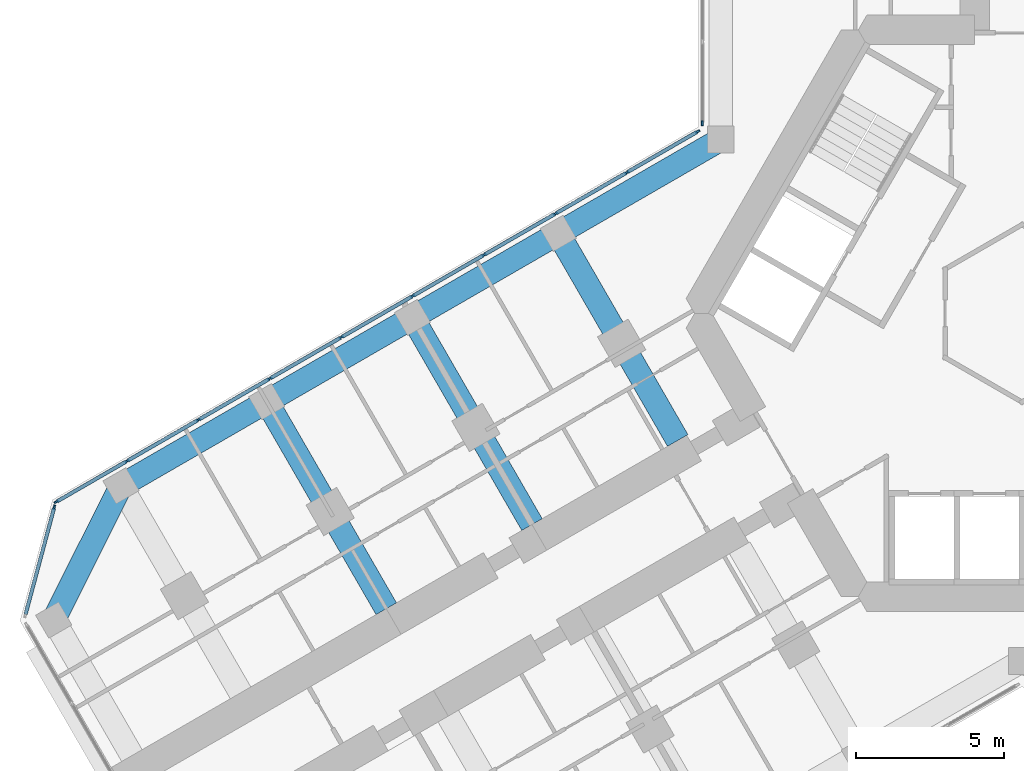
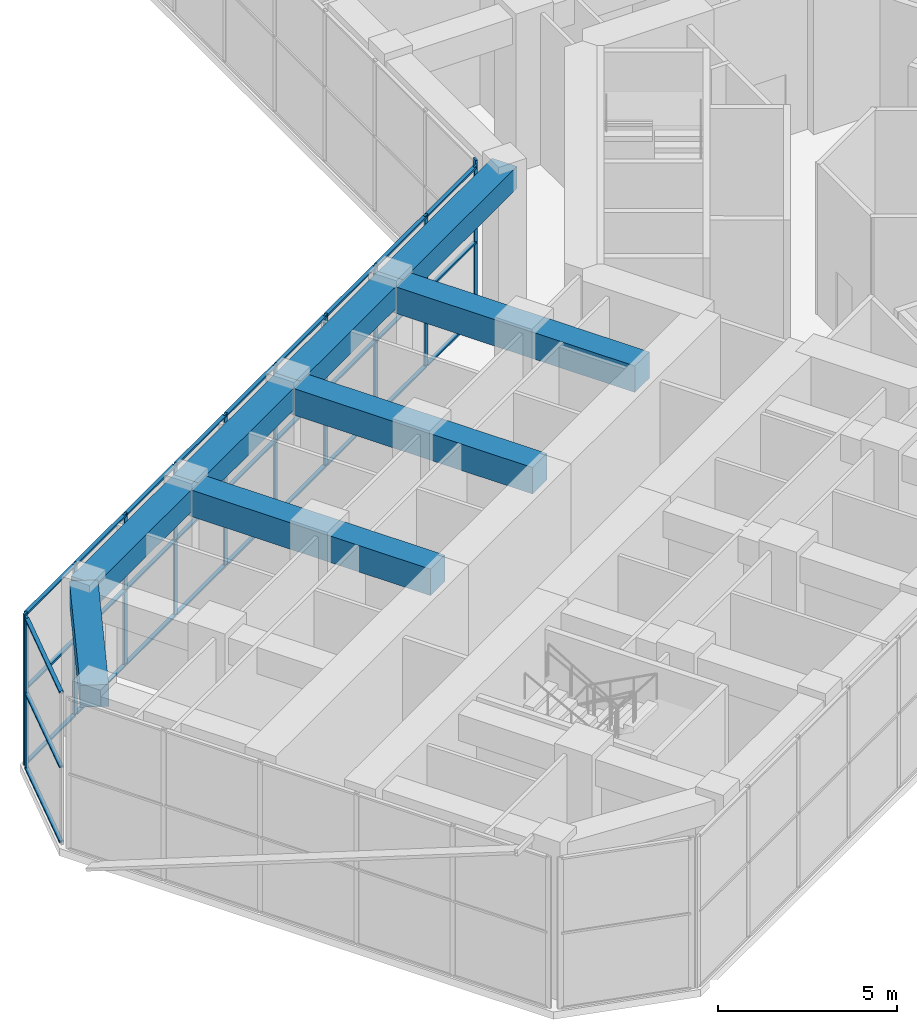
# One storey, part 4 of 23: 42 members, 8 beams, 3 elements without a shape of their own.
"""IFC4 building model written with IfcOpenShell, lengths in metres."""

from ifc_helpers import new_model, si_unit, direction, frame, origin, origin_2d, place, context, subcontext, project, spatial, rectangle, extrude, material, material_profile, profile_set, type_object, element, aggregate, save


model = new_model("IFC4")

# Units and contexts
model_context = context("Model", 3, precision=1e-05, world=origin(), true_north=direction((0.0, 1.0)))
body_context = subcontext(model_context, "Body", "Model", "MODEL_VIEW")
ifc_project = project(units=[si_unit("LENGTHUNIT", "METRE"), si_unit("AREAUNIT", "SQUARE_METRE"), si_unit("VOLUMEUNIT", "CUBIC_METRE"), si_unit("PLANEANGLEUNIT", "RADIAN"), si_unit("MASSUNIT", "GRAM", prefix="KILO")], contexts=[model_context])

# Site, building, storey
site_placement = place(None, origin())
site = spatial("IfcSite", under=ifc_project, at=site_placement, CompositionType="ELEMENT")
building_placement = place(site_placement, origin())
building = spatial("IfcBuilding", under=site, at=building_placement, Name="Kosmar Iwan School Tower", CompositionType="ELEMENT")
storey_placement = place(building_placement, frame((0.0, 0.0, 75.39990234375)))
storey = spatial("IfcBuildingStorey", under=building, at=storey_placement, Name="L18", CompositionType="ELEMENT", Elevation=75.39990234375)

# Curtain wall, member
ifc_material_1 = material(Name="Dark glass in black aluminium frame", Category="aluminium")
curtain_wall_type_1 = type_object("IfcCurtainWallType", Name="Winter garden curtain wall", PredefinedType="USERDEFINED", material=ifc_material_1)
curtain_wall_1_placement = place(storey_placement, origin())
curtain_wall_1 = element("IfcCurtainWall", 1, at=curtain_wall_1_placement, inside=storey, type_object=curtain_wall_type_1, Name="Curtain wall L18-F10", ObjectType="WINTER GARDEN CURTAIN WALL", PredefinedType="USERDEFINED")
ifc_material_2 = material(Name="Black anodised aluminium", Category="aluminium")
ifc_material_profile_1 = material_profile(ifc_material_2, rectangle(XDim=0.06005859375, YDim=0.159912109375, at=origin_2d()), Name="MULLION 60x160")
ifc_profile_set_1 = profile_set([ifc_material_profile_1], Name="Black anodised aluminium")
member_type_1 = type_object("IfcMemberType", Name="Mullion 60x160", PredefinedType="MULLION", material=ifc_profile_set_1)
member_1_placement = place(storey_placement, frame((-10.824951171875, 6.43896484375, 0.0), z_axis=(0.0, 0.0, 1.0), x_axis=(-1.0, 0.0, 0.0)))
member_1 = element("IfcMember", 2, at=member_1_placement, type_object=member_type_1, Name="CW7 mullion 1", PredefinedType="MULLION", context=body_context, shape_type="SweptSolid", body=[
    extrude(rectangle(XDim=0.06005859375, YDim=0.159912109375, at=origin_2d()), origin(), (0.0, 0.0, 1.0), 5.150146484375),
])
aggregate(curtain_wall_1, [member_1])

# Curtain wall, members
curtain_wall_2_placement = place(storey_placement, origin())
curtain_wall_2 = element("IfcCurtainWall", 3, at=curtain_wall_2_placement, inside=storey, type_object=curtain_wall_type_1, Name="Curtain wall L18-F11", ObjectType="WINTER GARDEN CURTAIN WALL", PredefinedType="USERDEFINED")
member_2_placement = place(storey_placement, frame((-10.98876953125, 6.1552734375, 0.0), z_axis=(0.0, 0.0, 1.0), x_axis=(0.500000014888, -0.866025395189, 0.0)))
member_2 = element("IfcMember", 4, at=member_2_placement, type_object=member_type_1, Name="CW7 mullion 1", PredefinedType="MULLION", context=body_context, shape_type="SweptSolid", body=[
    extrude(rectangle(XDim=0.06005859375, YDim=0.159912109375, at=origin_2d()), origin(), (0.0, 0.0, 1.0), 5.150146484375),
])
member_3_placement = place(storey_placement, frame((-13.3818359375, 4.773681640625, 0.0), z_axis=(0.0, 0.0, 1.0), x_axis=(0.500000014888, -0.866025395189, 0.0)))
member_3 = element("IfcMember", 5, at=member_3_placement, type_object=member_type_1, Name="CW7 mullion 2", PredefinedType="MULLION", context=body_context, shape_type="SweptSolid", body=[
    extrude(rectangle(XDim=0.06005859375, YDim=0.159912109375, at=origin_2d()), origin(), (0.0, 0.0, 1.0), 5.150146484375),
])
member_4_placement = place(storey_placement, frame((-15.80078125, 3.376953125, 0.0), z_axis=(0.0, 0.0, 1.0), x_axis=(0.500000014888, -0.866025395189, 0.0)))
member_4 = element("IfcMember", 6, at=member_4_placement, type_object=member_type_1, Name="CW7 mullion 3", PredefinedType="MULLION", context=body_context, shape_type="SweptSolid", body=[
    extrude(rectangle(XDim=0.06005859375, YDim=0.159912109375, at=origin_2d()), origin(), (0.0, 0.0, 1.0), 5.150146484375),
])
member_5_placement = place(storey_placement, frame((-18.219970703125, 1.98046875, 0.0), z_axis=(0.0, 0.0, 1.0), x_axis=(0.500000014888, -0.866025395189, 0.0)))
member_5 = element("IfcMember", 7, at=member_5_placement, type_object=member_type_1, Name="CW7 mullion 4", PredefinedType="MULLION", context=body_context, shape_type="SweptSolid", body=[
    extrude(rectangle(XDim=0.06005859375, YDim=0.159912109375, at=origin_2d()), origin(), (0.0, 0.0, 1.0), 5.150146484375),
])
member_6_placement = place(storey_placement, frame((-20.638916015625, 0.583740234375, 0.0), z_axis=(0.0, 0.0, 1.0), x_axis=(0.500000014888, -0.866025395189, 0.0)))
member_6 = element("IfcMember", 8, at=member_6_placement, type_object=member_type_1, Name="CW7 mullion 5", PredefinedType="MULLION", context=body_context, shape_type="SweptSolid", body=[
    extrude(rectangle(XDim=0.06005859375, YDim=0.159912109375, at=origin_2d()), origin(), (0.0, 0.0, 1.0), 5.150146484375),
])
member_7_placement = place(storey_placement, frame((-23.057861328125, -0.81298828125, 0.0), z_axis=(0.0, 0.0, 1.0), x_axis=(0.500000014888, -0.866025395189, 0.0)))
member_7 = element("IfcMember", 9, at=member_7_placement, type_object=member_type_1, Name="CW7 mullion 6", PredefinedType="MULLION", context=body_context, shape_type="SweptSolid", body=[
    extrude(rectangle(XDim=0.06005859375, YDim=0.159912109375, at=origin_2d()), origin(), (0.0, 0.0, 1.0), 5.150146484375),
])
member_8_placement = place(storey_placement, frame((-25.47705078125, -2.20947265625, 0.0), z_axis=(0.0, 0.0, 1.0), x_axis=(0.500000014888, -0.866025395189, 0.0)))
member_8 = element("IfcMember", 10, at=member_8_placement, type_object=member_type_1, Name="CW7 mullion 7", PredefinedType="MULLION", context=body_context, shape_type="SweptSolid", body=[
    extrude(rectangle(XDim=0.06005859375, YDim=0.159912109375, at=origin_2d()), origin(), (0.0, 0.0, 1.0), 5.150146484375),
])
member_9_placement = place(storey_placement, frame((-27.89599609375, -3.606201171875, 0.0), z_axis=(0.0, 0.0, 1.0), x_axis=(0.500000014888, -0.866025395189, 0.0)))
member_9 = element("IfcMember", 11, at=member_9_placement, type_object=member_type_1, Name="CW7 mullion 8", PredefinedType="MULLION", context=body_context, shape_type="SweptSolid", body=[
    extrude(rectangle(XDim=0.06005859375, YDim=0.159912109375, at=origin_2d()), origin(), (0.0, 0.0, 1.0), 5.150146484375),
])
member_10_placement = place(storey_placement, frame((-30.31494140625, -5.002685546875, 0.0), z_axis=(0.0, 0.0, 1.0), x_axis=(0.500000014888, -0.866025395189, 0.0)))
member_10 = element("IfcMember", 12, at=member_10_placement, type_object=member_type_1, Name="CW7 mullion 9", PredefinedType="MULLION", context=body_context, shape_type="SweptSolid", body=[
    extrude(rectangle(XDim=0.06005859375, YDim=0.159912109375, at=origin_2d()), origin(), (0.0, 0.0, 1.0), 5.150146484375),
])
member_11_placement = place(storey_placement, frame((-32.7080078125, -6.38427734375, 0.0), z_axis=(0.0, 0.0, 1.0), x_axis=(0.500000014888, -0.866025395189, 0.0)))
member_11 = element("IfcMember", 13, at=member_11_placement, type_object=member_type_1, Name="CW7 mullion 10", PredefinedType="MULLION", context=body_context, shape_type="SweptSolid", body=[
    extrude(rectangle(XDim=0.06005859375, YDim=0.159912109375, at=origin_2d()), origin(), (0.0, 0.0, 1.0), 5.150146484375),
])

# Curtain wall, member
ifc_material_3 = material(Name="Dark glass in black aluminium frame", Category="aluminium")
curtain_wall_type_2 = type_object("IfcCurtainWallType", Name="Chamfer curtain wall dark glass", PredefinedType="USERDEFINED", material=ifc_material_3)
curtain_wall_3_placement = place(storey_placement, origin())
curtain_wall_3 = element("IfcCurtainWall", 14, at=curtain_wall_3_placement, inside=storey, type_object=curtain_wall_type_2, Name="Curtain wall L18-F12", ObjectType="FACETED CURTAIN WALL", PredefinedType="USERDEFINED")
member_12_placement = place(storey_placement, frame((-32.78076171875, -6.5732421875, 0.0), z_axis=(0.0, 0.0, 1.0), x_axis=(0.965925875495, -0.258818861462, 0.0)))
member_12 = element("IfcMember", 15, at=member_12_placement, type_object=member_type_1, Name="CW2 mullion 1", PredefinedType="MULLION", context=body_context, shape_type="SweptSolid", body=[
    extrude(rectangle(XDim=0.06005859375, YDim=0.159912109375, at=origin_2d()), origin(), (0.0, 0.0, 1.0), 5.150146484375),
])

# Beams
ifc_material_4 = material(Name="Concrete C50/60", Category="concrete")
ifc_material_profile_2 = material_profile(ifc_material_4, rectangle(XDim=0.800048828125, YDim=0.75, at=origin_2d()), Name="RC 800x750")
ifc_profile_set_2 = profile_set([ifc_material_profile_2], Name="Concrete C50/60")
beam_type_1 = type_object("IfcBeamType", Name="RC edge beam 800x750", PredefinedType="BEAM", material=ifc_profile_set_2)
beam_1_placement = place(storey_placement, frame((-10.199951171875, 5.888916015625, 4.775146484375), z_axis=(-0.866030912664, -0.49999045822, 0.0), x_axis=(0.49999045822, -0.866030912664, 0.0)))
element("IfcBeam", 16, at=beam_1_placement, inside=storey, type_object=beam_type_1, Name="Edge beam BR1", PredefinedType="BEAM", context=body_context, shape_type="SweptSolid", body=[
    extrude(rectangle(XDim=0.800048828125, YDim=0.75, at=origin_2d()), origin(), (0.0, 0.0, 1.0), 6.36083984375),
])
beam_2_placement = place(storey_placement, frame((-15.708740234375, 2.70849609375, 4.775146484375), z_axis=(-0.866025820012, -0.499999279071, 0.0), x_axis=(0.499999279071, -0.866025820012, 0.0)))
element("IfcBeam", 17, at=beam_2_placement, inside=storey, type_object=beam_type_1, Name="Edge beam BR2", PredefinedType="BEAM", context=body_context, shape_type="SweptSolid", body=[
    extrude(rectangle(XDim=0.800048828125, YDim=0.75, at=origin_2d()), origin(), (0.0, 0.0, 1.0), 5.7001953125),
])
for number, where, z_axis, x_axis, name in (
    (18, (-20.645263671875, -0.1416015625, 4.775146484375), (-0.866033658841, -0.49998570155, 0.0), (0.49998570155, -0.866033658841, 0.0), "Edge beam BR3"),
    (19, (-25.58154296875, -2.991455078125, 4.775146484375), (-0.866015111908, -0.50001782563, 0.0), (0.50001782563, -0.866015111908, 0.0), "Edge beam BR4"),
):
    element("IfcBeam", number, at=place(storey_placement, frame(where, z_axis=z_axis, x_axis=x_axis)), inside=storey, type_object=beam_type_1, Name=name, PredefinedType="BEAM", context=body_context, shape_type="SweptSolid", body=[
        extrude(rectangle(XDim=0.800048828125, YDim=0.75, at=origin_2d()), origin(), (0.0, 0.0, 1.0), 5.699951171875),
    ])
ifc_material_5 = material(Name="Concrete C50/60", Category="concrete")
ifc_material_profile_3 = material_profile(ifc_material_5, rectangle(XDim=0.800048828125, YDim=0.75, at=origin_2d()), Name="RC 800x750")
ifc_profile_set_3 = profile_set([ifc_material_profile_3], Name="Concrete C50/60")
beam_type_2 = type_object("IfcBeamType", Name="RC tip beam 800x750", PredefinedType="BEAM", material=ifc_profile_set_3)
beam_3_placement = place(storey_placement, frame((-30.517822265625, -5.841552734375, 4.775146484375), z_axis=(-0.44809604203, -0.893985423325, 0.0), x_axis=(0.893985423325, -0.44809604203, 0.0)))
element("IfcBeam", 20, at=beam_3_placement, inside=storey, type_object=beam_type_2, Name="Tip beam BR", PredefinedType="BEAM", context=body_context, shape_type="SweptSolid", body=[
    extrude(rectangle(XDim=0.800048828125, YDim=0.75, at=origin_2d()), origin(), (0.0, 0.0, 1.0), 5.08935546875),
])
ifc_material_6 = material(Name="Concrete C50/60", Category="concrete")
ifc_material_profile_4 = material_profile(ifc_material_6, rectangle(XDim=0.800048828125, YDim=0.89990234375, at=origin_2d()), Name="RC 800x900")
ifc_profile_set_4 = profile_set([ifc_material_profile_4], Name="Concrete C50/60")
beam_type_3 = type_object("IfcBeamType", Name="RC transverse beam 800x900", PredefinedType="BEAM", material=ifc_profile_set_4)
beam_4_placement = place(storey_placement, frame((-15.708740234375, 2.70849609375, 4.7001953125), z_axis=(0.499999880539, -0.866025472755, 0.0), x_axis=(0.866025472755, 0.499999880539, 0.0)))
element("IfcBeam", 21, at=beam_4_placement, inside=storey, type_object=beam_type_3, Name="Transverse beam BR1", PredefinedType="BEAM", context=body_context, shape_type="SweptSolid", body=[
    extrude(rectangle(XDim=0.800048828125, YDim=0.89990234375, at=origin_2d()), origin(), (0.0, 0.0, 1.0), 8.10009765625),
])
beam_5_placement = place(storey_placement, frame((-20.645263671875, -0.1416015625, 4.7001953125), z_axis=(0.500012932018, -0.866017937352, 0.0), x_axis=(0.866017937352, 0.500012932018, 0.0)))
element("IfcBeam", 22, at=beam_5_placement, inside=storey, type_object=beam_type_3, Name="Transverse beam BR2", PredefinedType="BEAM", context=body_context, shape_type="SweptSolid", body=[
    extrude(rectangle(XDim=0.800048828125, YDim=0.89990234375, at=origin_2d()), origin(), (0.0, 0.0, 1.0), 8.099853515625),
])
beam_6_placement = place(storey_placement, frame((-25.58154296875, -2.991455078125, 4.7001953125), z_axis=(0.499999880539, -0.866025472755, 0.0), x_axis=(0.866025472755, 0.499999880539, 0.0)))
element("IfcBeam", 23, at=beam_6_placement, inside=storey, type_object=beam_type_3, Name="Transverse beam BR3", PredefinedType="BEAM", context=body_context, shape_type="SweptSolid", body=[
    extrude(rectangle(XDim=0.800048828125, YDim=0.89990234375, at=origin_2d()), origin(), (0.0, 0.0, 1.0), 8.10009765625),
])

# Member
ifc_material_7 = material(Name="Black anodised aluminium", Category="aluminium")
ifc_material_profile_5 = material_profile(ifc_material_7, rectangle(XDim=0.1201171875, YDim=0.06005859375, at=origin_2d()), Name="TRANSOM 60x120")
ifc_profile_set_5 = profile_set([ifc_material_profile_5], Name="Black anodised aluminium")
member_type_2 = type_object("IfcMemberType", Name="Transom 60x120", PredefinedType="USERDEFINED", material=ifc_profile_set_5)
member_13_placement = place(storey_placement, frame((-11.014892578125, 6.14013671875, 0.030029296875), z_axis=(-0.866033683985, -0.499985657998, 0.0), x_axis=(0.499985657998, -0.866033683985, 0.0)))
member_13 = element("IfcMember", 24, at=member_13_placement, type_object=member_type_2, Name="CW7 transom 1.1", ObjectType="TRANSOM", PredefinedType="USERDEFINED", context=body_context, shape_type="SweptSolid", body=[
    extrude(rectangle(XDim=0.1201171875, YDim=0.06005859375, at=origin_2d()), origin(), (0.0, 0.0, 1.0), 2.703125),
])

member_14_placement = place(storey_placement, frame((-11.014892578125, 6.14013671875, 2.5751953125), z_axis=(-0.866033683985, -0.499985657998, 0.0), x_axis=(0.499985657998, -0.866033683985, 0.0)))
member_14 = element("IfcMember", 25, at=member_14_placement, type_object=member_type_2, Name="CW7 transom 1.2", ObjectType="TRANSOM", PredefinedType="USERDEFINED", context=body_context, shape_type="SweptSolid", body=[
    extrude(rectangle(XDim=0.1201171875, YDim=0.06005859375, at=origin_2d()), origin(), (0.0, 0.0, 1.0), 2.703125),
])

member_15_placement = place(storey_placement, frame((-11.014892578125, 6.14013671875, 5.1201171875), z_axis=(-0.866033683985, -0.499985657998, 0.0), x_axis=(0.499985657998, -0.866033683985, 0.0)))
member_15 = element("IfcMember", 26, at=member_15_placement, type_object=member_type_2, Name="CW7 transom 1.3", ObjectType="TRANSOM", PredefinedType="USERDEFINED", context=body_context, shape_type="SweptSolid", body=[
    extrude(rectangle(XDim=0.1201171875, YDim=0.06005859375, at=origin_2d()), origin(), (0.0, 0.0, 1.0), 2.703125),
])

member_16_placement = place(storey_placement, frame((-13.407958984375, 4.758544921875, 0.030029296875), z_axis=(-0.866041295585, -0.499972473583, 0.0), x_axis=(0.499972473583, -0.866041295585, 0.0)))
member_16 = element("IfcMember", 27, at=member_16_placement, type_object=member_type_2, Name="CW7 transom 2.1", ObjectType="TRANSOM", PredefinedType="USERDEFINED", context=body_context, shape_type="SweptSolid", body=[
    extrude(rectangle(XDim=0.1201171875, YDim=0.06005859375, at=origin_2d()), origin(), (0.0, 0.0, 1.0), 2.733154296875),
])

member_17_placement = place(storey_placement, frame((-13.407958984375, 4.758544921875, 2.5751953125), z_axis=(-0.866041295585, -0.499972473583, 0.0), x_axis=(0.499972473583, -0.866041295585, 0.0)))
member_17 = element("IfcMember", 28, at=member_17_placement, type_object=member_type_2, Name="CW7 transom 2.2", ObjectType="TRANSOM", PredefinedType="USERDEFINED", context=body_context, shape_type="SweptSolid", body=[
    extrude(rectangle(XDim=0.1201171875, YDim=0.06005859375, at=origin_2d()), origin(), (0.0, 0.0, 1.0), 2.733154296875),
])

member_18_placement = place(storey_placement, frame((-13.407958984375, 4.758544921875, 5.1201171875), z_axis=(-0.866041295585, -0.499972473583, 0.0), x_axis=(0.499972473583, -0.866041295585, 0.0)))
member_18 = element("IfcMember", 29, at=member_18_placement, type_object=member_type_2, Name="CW7 transom 2.3", ObjectType="TRANSOM", PredefinedType="USERDEFINED", context=body_context, shape_type="SweptSolid", body=[
    extrude(rectangle(XDim=0.1201171875, YDim=0.06005859375, at=origin_2d()), origin(), (0.0, 0.0, 1.0), 2.733154296875),
])

member_19_placement = place(storey_placement, frame((-15.826904296875, 3.362060546875, 0.030029296875), z_axis=(-0.866002615699, -0.500039468044, 0.0), x_axis=(0.500039468044, -0.866002615699, 0.0)))
member_19 = element("IfcMember", 30, at=member_19_placement, type_object=member_type_2, Name="CW7 transom 3.1", ObjectType="TRANSOM", PredefinedType="USERDEFINED", context=body_context, shape_type="SweptSolid", body=[
    extrude(rectangle(XDim=0.1201171875, YDim=0.06005859375, at=origin_2d()), origin(), (0.0, 0.0, 1.0), 2.733154296875),
])

member_20_placement = place(storey_placement, frame((-15.826904296875, 3.362060546875, 2.5751953125), z_axis=(-0.866002615699, -0.500039468044, 0.0), x_axis=(0.500039468044, -0.866002615699, 0.0)))
member_20 = element("IfcMember", 31, at=member_20_placement, type_object=member_type_2, Name="CW7 transom 3.2", ObjectType="TRANSOM", PredefinedType="USERDEFINED", context=body_context, shape_type="SweptSolid", body=[
    extrude(rectangle(XDim=0.1201171875, YDim=0.06005859375, at=origin_2d()), origin(), (0.0, 0.0, 1.0), 2.733154296875),
])

member_21_placement = place(storey_placement, frame((-15.826904296875, 3.362060546875, 5.1201171875), z_axis=(-0.866002615699, -0.500039468044, 0.0), x_axis=(0.500039468044, -0.866002615699, 0.0)))
member_21 = element("IfcMember", 32, at=member_21_placement, type_object=member_type_2, Name="CW7 transom 3.3", ObjectType="TRANSOM", PredefinedType="USERDEFINED", context=body_context, shape_type="SweptSolid", body=[
    extrude(rectangle(XDim=0.1201171875, YDim=0.06005859375, at=origin_2d()), origin(), (0.0, 0.0, 1.0), 2.733154296875),
])

member_22_placement = place(storey_placement, frame((-18.245849609375, 1.96533203125, 0.030029296875), z_axis=(-0.8660249478, -0.500000789788, 0.0), x_axis=(0.500000789788, -0.8660249478, 0.0)))
member_22 = element("IfcMember", 33, at=member_22_placement, type_object=member_type_2, Name="CW7 transom 4.1", ObjectType="TRANSOM", PredefinedType="USERDEFINED", context=body_context, shape_type="SweptSolid", body=[
    extrude(rectangle(XDim=0.1201171875, YDim=0.06005859375, at=origin_2d()), origin(), (0.0, 0.0, 1.0), 2.7333984375),
])

member_23_placement = place(storey_placement, frame((-18.245849609375, 1.96533203125, 2.5751953125), z_axis=(-0.8660249478, -0.500000789788, 0.0), x_axis=(0.500000789788, -0.8660249478, 0.0)))
member_23 = element("IfcMember", 34, at=member_23_placement, type_object=member_type_2, Name="CW7 transom 4.2", ObjectType="TRANSOM", PredefinedType="USERDEFINED", context=body_context, shape_type="SweptSolid", body=[
    extrude(rectangle(XDim=0.1201171875, YDim=0.06005859375, at=origin_2d()), origin(), (0.0, 0.0, 1.0), 2.7333984375),
])

member_24_placement = place(storey_placement, frame((-18.245849609375, 1.96533203125, 5.1201171875), z_axis=(-0.8660249478, -0.500000789788, 0.0), x_axis=(0.500000789788, -0.8660249478, 0.0)))
member_24 = element("IfcMember", 35, at=member_24_placement, type_object=member_type_2, Name="CW7 transom 4.3", ObjectType="TRANSOM", PredefinedType="USERDEFINED", context=body_context, shape_type="SweptSolid", body=[
    extrude(rectangle(XDim=0.1201171875, YDim=0.06005859375, at=origin_2d()), origin(), (0.0, 0.0, 1.0), 2.7333984375),
])

member_25_placement = place(storey_placement, frame((-20.664794921875, 0.56884765625, 0.030029296875), z_axis=(-0.8660249478, -0.500000789788, 0.0), x_axis=(0.500000789788, -0.8660249478, 0.0)))
member_25 = element("IfcMember", 36, at=member_25_placement, type_object=member_type_2, Name="CW7 transom 5.1", ObjectType="TRANSOM", PredefinedType="USERDEFINED", context=body_context, shape_type="SweptSolid", body=[
    extrude(rectangle(XDim=0.1201171875, YDim=0.06005859375, at=origin_2d()), origin(), (0.0, 0.0, 1.0), 2.7333984375),
])

member_26_placement = place(storey_placement, frame((-20.664794921875, 0.56884765625, 2.5751953125), z_axis=(-0.8660249478, -0.500000789788, 0.0), x_axis=(0.500000789788, -0.8660249478, 0.0)))
member_26 = element("IfcMember", 37, at=member_26_placement, type_object=member_type_2, Name="CW7 transom 5.2", ObjectType="TRANSOM", PredefinedType="USERDEFINED", context=body_context, shape_type="SweptSolid", body=[
    extrude(rectangle(XDim=0.1201171875, YDim=0.06005859375, at=origin_2d()), origin(), (0.0, 0.0, 1.0), 2.7333984375),
])

member_27_placement = place(storey_placement, frame((-20.664794921875, 0.56884765625, 5.1201171875), z_axis=(-0.8660249478, -0.500000789788, 0.0), x_axis=(0.500000789788, -0.8660249478, 0.0)))
member_27 = element("IfcMember", 38, at=member_27_placement, type_object=member_type_2, Name="CW7 transom 5.3", ObjectType="TRANSOM", PredefinedType="USERDEFINED", context=body_context, shape_type="SweptSolid", body=[
    extrude(rectangle(XDim=0.1201171875, YDim=0.06005859375, at=origin_2d()), origin(), (0.0, 0.0, 1.0), 2.7333984375),
])

member_28_placement = place(storey_placement, frame((-23.083984375, -0.827880859375, 0.030029296875), z_axis=(-0.866002615699, -0.500039468044, 0.0), x_axis=(0.500039468044, -0.866002615699, 0.0)))
member_28 = element("IfcMember", 39, at=member_28_placement, type_object=member_type_2, Name="CW7 transom 6.1", ObjectType="TRANSOM", PredefinedType="USERDEFINED", context=body_context, shape_type="SweptSolid", body=[
    extrude(rectangle(XDim=0.1201171875, YDim=0.06005859375, at=origin_2d()), origin(), (0.0, 0.0, 1.0), 2.733154296875),
])

member_29_placement = place(storey_placement, frame((-23.083984375, -0.827880859375, 2.5751953125), z_axis=(-0.866002615699, -0.500039468044, 0.0), x_axis=(0.500039468044, -0.866002615699, 0.0)))
member_29 = element("IfcMember", 40, at=member_29_placement, type_object=member_type_2, Name="CW7 transom 6.2", ObjectType="TRANSOM", PredefinedType="USERDEFINED", context=body_context, shape_type="SweptSolid", body=[
    extrude(rectangle(XDim=0.1201171875, YDim=0.06005859375, at=origin_2d()), origin(), (0.0, 0.0, 1.0), 2.733154296875),
])

member_30_placement = place(storey_placement, frame((-23.083984375, -0.827880859375, 5.1201171875), z_axis=(-0.866002615699, -0.500039468044, 0.0), x_axis=(0.500039468044, -0.866002615699, 0.0)))
member_30 = element("IfcMember", 41, at=member_30_placement, type_object=member_type_2, Name="CW7 transom 6.3", ObjectType="TRANSOM", PredefinedType="USERDEFINED", context=body_context, shape_type="SweptSolid", body=[
    extrude(rectangle(XDim=0.1201171875, YDim=0.06005859375, at=origin_2d()), origin(), (0.0, 0.0, 1.0), 2.733154296875),
])

member_31_placement = place(storey_placement, frame((-25.5029296875, -2.224609375, 0.030029296875), z_axis=(-0.866063622699, -0.499933797055, 0.0), x_axis=(0.499933797055, -0.866063622699, 0.0)))
member_31 = element("IfcMember", 42, at=member_31_placement, type_object=member_type_2, Name="CW7 transom 7.1", ObjectType="TRANSOM", PredefinedType="USERDEFINED", context=body_context, shape_type="SweptSolid", body=[
    extrude(rectangle(XDim=0.1201171875, YDim=0.06005859375, at=origin_2d()), origin(), (0.0, 0.0, 1.0), 2.733154296875),
])

member_32_placement = place(storey_placement, frame((-25.5029296875, -2.224609375, 2.5751953125), z_axis=(-0.866063622699, -0.499933797055, 0.0), x_axis=(0.499933797055, -0.866063622699, 0.0)))
member_32 = element("IfcMember", 43, at=member_32_placement, type_object=member_type_2, Name="CW7 transom 7.2", ObjectType="TRANSOM", PredefinedType="USERDEFINED", context=body_context, shape_type="SweptSolid", body=[
    extrude(rectangle(XDim=0.1201171875, YDim=0.06005859375, at=origin_2d()), origin(), (0.0, 0.0, 1.0), 2.733154296875),
])

member_33_placement = place(storey_placement, frame((-25.5029296875, -2.224609375, 5.1201171875), z_axis=(-0.866063622699, -0.499933797055, 0.0), x_axis=(0.499933797055, -0.866063622699, 0.0)))
member_33 = element("IfcMember", 44, at=member_33_placement, type_object=member_type_2, Name="CW7 transom 7.3", ObjectType="TRANSOM", PredefinedType="USERDEFINED", context=body_context, shape_type="SweptSolid", body=[
    extrude(rectangle(XDim=0.1201171875, YDim=0.06005859375, at=origin_2d()), origin(), (0.0, 0.0, 1.0), 2.733154296875),
])

member_34_placement = place(storey_placement, frame((-27.921875, -3.62109375, 0.030029296875), z_axis=(-0.8660249478, -0.500000789788, 0.0), x_axis=(0.500000789788, -0.8660249478, 0.0)))
member_34 = element("IfcMember", 45, at=member_34_placement, type_object=member_type_2, Name="CW7 transom 8.1", ObjectType="TRANSOM", PredefinedType="USERDEFINED", context=body_context, shape_type="SweptSolid", body=[
    extrude(rectangle(XDim=0.1201171875, YDim=0.06005859375, at=origin_2d()), origin(), (0.0, 0.0, 1.0), 2.7333984375),
])

member_35_placement = place(storey_placement, frame((-27.921875, -3.62109375, 2.5751953125), z_axis=(-0.8660249478, -0.500000789788, 0.0), x_axis=(0.500000789788, -0.8660249478, 0.0)))
member_35 = element("IfcMember", 46, at=member_35_placement, type_object=member_type_2, Name="CW7 transom 8.2", ObjectType="TRANSOM", PredefinedType="USERDEFINED", context=body_context, shape_type="SweptSolid", body=[
    extrude(rectangle(XDim=0.1201171875, YDim=0.06005859375, at=origin_2d()), origin(), (0.0, 0.0, 1.0), 2.7333984375),
])

member_36_placement = place(storey_placement, frame((-27.921875, -3.62109375, 5.1201171875), z_axis=(-0.8660249478, -0.500000789788, 0.0), x_axis=(0.500000789788, -0.8660249478, 0.0)))
member_36 = element("IfcMember", 47, at=member_36_placement, type_object=member_type_2, Name="CW7 transom 8.3", ObjectType="TRANSOM", PredefinedType="USERDEFINED", context=body_context, shape_type="SweptSolid", body=[
    extrude(rectangle(XDim=0.1201171875, YDim=0.06005859375, at=origin_2d()), origin(), (0.0, 0.0, 1.0), 2.7333984375),
])

member_37_placement = place(storey_placement, frame((-30.341064453125, -5.017822265625, 0.030029296875), z_axis=(-0.866033683985, -0.499985657998, 0.0), x_axis=(0.499985657998, -0.866033683985, 0.0)))
member_37 = element("IfcMember", 48, at=member_37_placement, type_object=member_type_2, Name="CW7 transom 9.1", ObjectType="TRANSOM", PredefinedType="USERDEFINED", context=body_context, shape_type="SweptSolid", body=[
    extrude(rectangle(XDim=0.1201171875, YDim=0.06005859375, at=origin_2d()), origin(), (0.0, 0.0, 1.0), 2.703125),
])

member_38_placement = place(storey_placement, frame((-30.341064453125, -5.017822265625, 2.5751953125), z_axis=(-0.866033683985, -0.499985657998, 0.0), x_axis=(0.499985657998, -0.866033683985, 0.0)))
member_38 = element("IfcMember", 49, at=member_38_placement, type_object=member_type_2, Name="CW7 transom 9.2", ObjectType="TRANSOM", PredefinedType="USERDEFINED", context=body_context, shape_type="SweptSolid", body=[
    extrude(rectangle(XDim=0.1201171875, YDim=0.06005859375, at=origin_2d()), origin(), (0.0, 0.0, 1.0), 2.703125),
])

member_39_placement = place(storey_placement, frame((-30.341064453125, -5.017822265625, 5.1201171875), z_axis=(-0.866033683985, -0.499985657998, 0.0), x_axis=(0.499985657998, -0.866033683985, 0.0)))
member_39 = element("IfcMember", 50, at=member_39_placement, type_object=member_type_2, Name="CW7 transom 9.3", ObjectType="TRANSOM", PredefinedType="USERDEFINED", context=body_context, shape_type="SweptSolid", body=[
    extrude(rectangle(XDim=0.1201171875, YDim=0.06005859375, at=origin_2d()), origin(), (0.0, 0.0, 1.0), 2.703125),
])

aggregate(curtain_wall_2, [member_2, member_3, member_4, member_5, member_6, member_7, member_8, member_9, member_10, member_11, member_13, member_14, member_15, member_16, member_17, member_18, member_19, member_20, member_21, member_22, member_23, member_24, member_25, member_26, member_27, member_28, member_29, member_30, member_31, member_32, member_33, member_34, member_35, member_36, member_37, member_38, member_39])

member_40_placement = place(storey_placement, frame((-32.788330078125, -6.602294921875, 0.030029296875), z_axis=(-0.258843273983, -0.965919333854, 0.0), x_axis=(0.965919333854, -0.258843273983, 0.0)))
member_40 = element("IfcMember", 51, at=member_40_placement, type_object=member_type_2, Name="CW2 transom 1.1", ObjectType="TRANSOM", PredefinedType="USERDEFINED", context=body_context, shape_type="SweptSolid", body=[
    extrude(rectangle(XDim=0.1201171875, YDim=0.06005859375, at=origin_2d()), origin(), (0.0, 0.0, 1.0), 3.718994140625),
])

member_41_placement = place(storey_placement, frame((-32.788330078125, -6.602294921875, 2.5751953125), z_axis=(-0.258843273983, -0.965919333854, 0.0), x_axis=(0.965919333854, -0.258843273983, 0.0)))
member_41 = element("IfcMember", 52, at=member_41_placement, type_object=member_type_2, Name="CW2 transom 1.2", ObjectType="TRANSOM", PredefinedType="USERDEFINED", context=body_context, shape_type="SweptSolid", body=[
    extrude(rectangle(XDim=0.1201171875, YDim=0.06005859375, at=origin_2d()), origin(), (0.0, 0.0, 1.0), 3.718994140625),
])

member_42_placement = place(storey_placement, frame((-32.788330078125, -6.602294921875, 5.1201171875), z_axis=(-0.258843273983, -0.965919333854, 0.0), x_axis=(0.965919333854, -0.258843273983, 0.0)))
member_42 = element("IfcMember", 53, at=member_42_placement, type_object=member_type_2, Name="CW2 transom 1.3", ObjectType="TRANSOM", PredefinedType="USERDEFINED", context=body_context, shape_type="SweptSolid", body=[
    extrude(rectangle(XDim=0.1201171875, YDim=0.06005859375, at=origin_2d()), origin(), (0.0, 0.0, 1.0), 3.718994140625),
])

aggregate(curtain_wall_3, [member_12, member_40, member_41, member_42])

save(model, "model.ifc")
